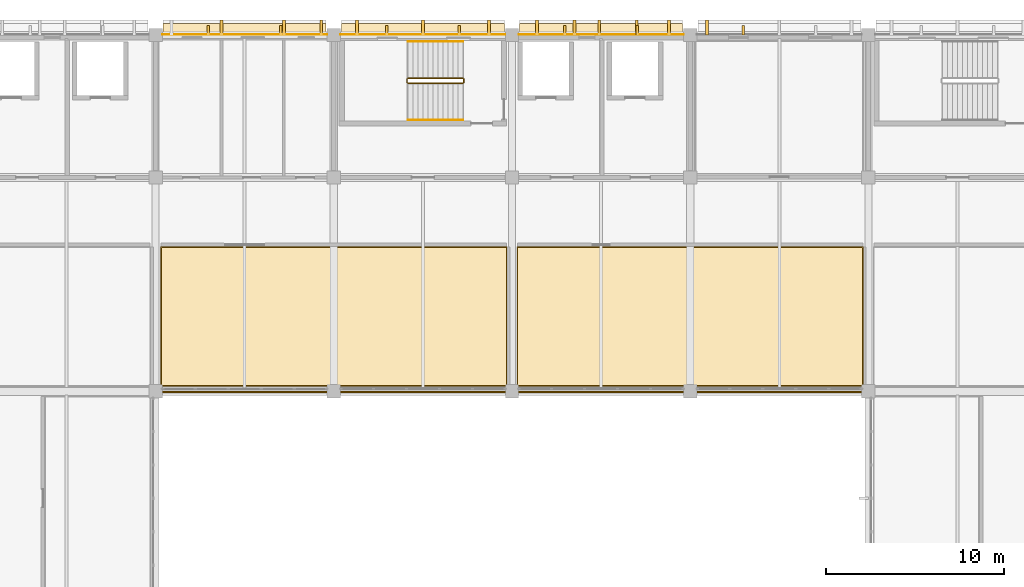
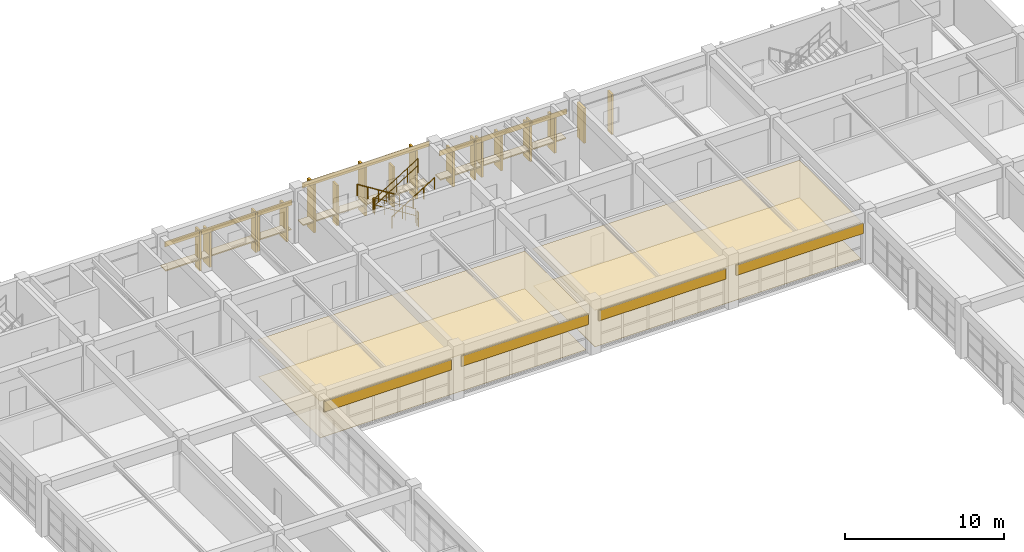
# One storey, part 82 of 83: 26 coverings, 7 shading devices, 6 railings.
"""IFC4 building model written with IfcOpenShell, lengths in metres."""

from ifc_helpers import new_model, si_unit, direction, frame, frame_2d, origin, origin_2d, place, context, subcontext, project, spatial, polyline, rectangle, circle, outline, extrude, material, layer, layer_set, type_object, element, save


model = new_model("IFC4")

# Units and contexts
model_context = context("Model", 3, precision=1e-05, world=origin(), true_north=direction((0.0, 1.0)))
body_context = subcontext(model_context, "Body", "Model", "MODEL_VIEW")
ifc_project = project(units=[si_unit("LENGTHUNIT", "METRE"), si_unit("AREAUNIT", "SQUARE_METRE"), si_unit("VOLUMEUNIT", "CUBIC_METRE"), si_unit("PLANEANGLEUNIT", "RADIAN"), si_unit("MASSUNIT", "GRAM", prefix="KILO")], contexts=[model_context])

# Site, building, storey
site_placement = place(None, origin())
site = spatial("IfcSite", under=ifc_project, at=site_placement, CompositionType="ELEMENT")
building_placement = place(site_placement, origin())
building = spatial("IfcBuilding", under=site, at=building_placement, Name="Kivolera Central Railway Station", CompositionType="ELEMENT")
storey_placement = place(building_placement, frame((0.0, 0.0, 14.39990234375)))
storey = spatial("IfcBuildingStorey", under=building, at=storey_placement, Name="L03", CompositionType="ELEMENT", Elevation=14.39990234375)

# Shading devices
ifc_material_1 = material(Name="Precast concrete C40/50", Category="concrete")
shading_device_type = type_object("IfcShadingDeviceType", Name="BS-FIN-UPP", PredefinedType="USERDEFINED", material=ifc_material_1)
for number, where, z_axis, x_axis, name in (
    (1, (140.962890625, 134.26708984375, 0.0), (0.0, 0.0, 1.0), (1.0, 0.0, 0.0), "L03 North Brise-Soleil Fin 3.1"),
    (2, (145.037109375, 134.26708984375, 0.0), (0.0, 0.0, 1.0), (1.0, 0.0, 0.0), "L03 North Brise-Soleil Fin 3.2"),
    (3, (150.962890625, 134.26708984375, 0.0), (0.0, 0.0, 1.0), (1.0, 0.0, 0.0), "L03 North Brise-Soleil Fin 4.1"),
    (4, (155.037109375, 134.26708984375, 0.0), (0.0, 0.0, 1.0), (1.0, 0.0, 0.0), "L03 North Brise-Soleil Fin 4.2"),
    (5, (160.962890625, 134.26708984375, 0.0), (0.0, 0.0, 1.0), (1.0, 0.0, 0.0), "L03 North Brise-Soleil Fin 5.1"),
    (6, (165.037109375, 134.26708984375, 0.0), (0.0, 0.0, 1.0), (1.0, 0.0, 0.0), "L03 North Brise-Soleil Fin 5.2"),
    (7, (170.962890625, 134.26708984375, 0.0), (0.0, 0.0, 1.0), (1.0, 0.0, 0.0), "L03 North Brise-Soleil Fin 6.1"),
):
    element("IfcShadingDevice", number, at=place(storey_placement, frame(where, z_axis=z_axis, x_axis=x_axis)), inside=storey, type_object=shading_device_type, Name=name, ObjectType="FIN", PredefinedType="USERDEFINED", context=body_context, shape_type="SweptSolid", body=[
        extrude(rectangle(XDim=0.139892578125, YDim=0.550048828125, at=origin_2d()), origin(), (0.0, 0.0, 1.0), 3.10009765625),
    ])

# Coverings
ifc_material_2 = material(Name="Mineral fibre acoustic tile")
ifc_layer_1 = layer(ifc_material_2, 0.02001953125, Name="Mineral fibre acoustic tile")
ifc_layer_set_1 = layer_set([ifc_layer_1], Name="Mineral fibre acoustic tile")
covering_type_1 = type_object("IfcCoveringType", Name="COV-CEIL-20", PredefinedType="CEILING", material=ifc_layer_set_1)
covering_1_placement = place(storey_placement, frame((0.0, 0.0, 2.85009765625)))
element("IfcCovering", 8, at=covering_1_placement, inside=storey, type_object=covering_type_1, Name="L03 Station Master Administration Office Acoustic Ceiling", PredefinedType="CEILING", context=body_context, shape_type="SweptSolid", body=[
    extrude(outline(polyline([(158.280029296875, 114.280029296875), (177.719970703125, 114.280029296875), (177.719970703125, 122.1201171875), (158.280029296875, 122.1201171875), (158.280029296875, 114.280029296875)])), origin(), (0.0, 0.0, 1.0), 0.02001953125),
])
ifc_layer_2 = layer(ifc_material_2, 0.030029296875, Name="Mineral fibre acoustic tile")
ifc_layer_set_2 = layer_set([ifc_layer_2], Name="Mineral fibre acoustic tile")
covering_type_2 = type_object("IfcCoveringType", Name="COV-CEIL-30", PredefinedType="CEILING", material=ifc_layer_set_2)
covering_2_placement = place(storey_placement, frame((0.0, 0.0, 2.85009765625)))
element("IfcCovering", 9, at=covering_2_placement, inside=storey, type_object=covering_type_2, Name="L03 Public Transport Exhibition Classroom Acoustic Ceiling", PredefinedType="CEILING", context=body_context, shape_type="SweptSolid", body=[
    extrude(outline(polyline([(138.280029296875, 114.280029296875), (157.719970703125, 114.280029296875), (157.719970703125, 122.1201171875), (138.280029296875, 122.1201171875), (138.280029296875, 114.280029296875)])), origin(), (0.0, 0.0, 1.0), 0.030029296875),
])
ifc_layer_3 = layer(ifc_material_1, 0.090087890625, Name="Precast concrete C40/50")
ifc_layer_set_3 = layer_set([ifc_layer_3], Name="Precast concrete C40/50")
covering_type_3 = type_object("IfcCoveringType", Name="COV-CLAUSTRA-90", PredefinedType="CLADDING", material=ifc_layer_set_3)
for number, where, z_axis, x_axis, name in (
    (10, (143.0, 134.31298828125, 0.85498046875), (0.0, 0.0, 1.0), (1.0, 0.0, 0.0), "L03 North Precast Egg-Crate Sill Shelf 3"),
    (11, (153.0, 134.31298828125, 0.85498046875), (0.0, 0.0, 1.0), (1.0, 0.0, 0.0), "L03 North Precast Egg-Crate Sill Shelf 4"),
    (12, (163.0, 134.31298828125, 0.85498046875), (0.0, 0.0, 1.0), (1.0, 0.0, 0.0), "L03 North Precast Egg-Crate Sill Shelf 5"),
):
    element("IfcCovering", number, at=place(storey_placement, frame(where, z_axis=z_axis, x_axis=x_axis)), inside=storey, type_object=covering_type_3, Name=name, PredefinedType="CLADDING", context=body_context, shape_type="SweptSolid", body=[
        extrude(rectangle(XDim=9.139892578125, YDim=0.64990234375, at=origin_2d()), origin(), (0.0, 0.0, 1.0), 0.090087890625),
    ])
for number, where, z_axis, x_axis, name in (
    (13, (147.6298828125, 113.9599609375, 2.22802734375), (0.0, 0.0, 1.0), (-1.0, 0.0, 0.0), "L03 Monsoon Court Precast Claustra Screen 138"),
    (14, (157.6298828125, 113.9599609375, 2.22802734375), (0.0, 0.0, 1.0), (-1.0, 0.0, 0.0), "L03 Monsoon Court Precast Claustra Screen 148"),
    (15, (167.6298828125, 113.9599609375, 2.22802734375), (0.0, 0.0, 1.0), (-1.0, 0.0, 0.0), "L03 Monsoon Court Precast Claustra Screen 158"),
    (16, (177.6298828125, 113.9599609375, 2.22802734375), (0.0, 0.0, 1.0), (-1.0, 0.0, 0.0), "L03 Monsoon Court Precast Claustra Screen 168"),
):
    element("IfcCovering", number, at=place(storey_placement, frame(where, z_axis=z_axis, x_axis=x_axis)), inside=storey, type_object=covering_type_3, Name=name, PredefinedType="CLADDING", context=body_context, shape_type="SweptSolid", body=[
        extrude(rectangle(XDim=9.259765625, YDim=0.090087890625, at=frame_2d((4.6298828125, 0.0))), origin(), (0.0, 0.0, 1.0), 0.800048828125),
    ])
ifc_material_3 = material(Name="Swahili coral limestone", Category="masonry")
ifc_layer_4 = layer(ifc_material_3, 0.159912109375, Name="Swahili coral limestone")
ifc_layer_set_4 = layer_set([ifc_layer_4], Name="Swahili coral limestone")
covering_type_4 = type_object("IfcCoveringType", Name="COV-EGGFIN-160", PredefinedType="CLADDING", material=ifc_layer_set_4)
for number, where, z_axis, x_axis, name in (
    (17, (141.699951171875, 134.4130859375, 0.0400390625), (0.0, 0.0, 1.0), (1.0, 0.0, 0.0), "L03 North Afro-Modernist Coral-Stone Sun-Fin 3.2"),
    (18, (145.199951171875, 134.4130859375, 0.0400390625), (0.0, 0.0, 1.0), (1.0, 0.0, 0.0), "L03 North Afro-Modernist Coral-Stone Sun-Fin 3.3"),
    (19, (147.300048828125, 134.4130859375, 0.0400390625), (0.0, 0.0, 1.0), (1.0, 0.0, 0.0), "L03 North Afro-Modernist Coral-Stone Sun-Fin 3.4"),
):
    element("IfcCovering", number, at=place(storey_placement, frame(where, z_axis=z_axis, x_axis=x_axis)), inside=storey, type_object=covering_type_4, Name=name, PredefinedType="CLADDING", context=body_context, shape_type="SweptSolid", body=[
        extrude(rectangle(XDim=0.159912109375, YDim=0.85009765625, at=origin_2d()), origin(), (0.0, 0.0, 1.0), 2.697998046875),
    ])
for number, where, z_axis, x_axis, name in (
    (20, (149.300048828125, 134.4130859375, 0.0400390625), (0.0, 0.0, 1.0), (1.0, 0.0, 0.0), "L03 North Afro-Modernist Coral-Stone Sun-Fin 4.1"),
    (21, (153.0, 134.4130859375, 0.0400390625), (0.0, 0.0, 1.0), (1.0, 0.0, 0.0), "L03 North Afro-Modernist Coral-Stone Sun-Fin 4.2"),
    (22, (156.699951171875, 134.4130859375, 0.0400390625), (0.0, 0.0, 1.0), (1.0, 0.0, 0.0), "L03 North Afro-Modernist Coral-Stone Sun-Fin 4.3"),
):
    element("IfcCovering", number, at=place(storey_placement, frame(where, z_axis=z_axis, x_axis=x_axis)), inside=storey, type_object=covering_type_4, Name=name, PredefinedType="CLADDING", context=body_context, shape_type="SweptSolid", body=[
        extrude(rectangle(XDim=0.159912109375, YDim=0.85009765625, at=origin_2d()), origin(), (0.0, 0.0, 1.0), 3.719970703125),
    ])
for number, where, z_axis, x_axis, name in (
    (23, (159.39990234375, 134.4130859375, 0.0400390625), (0.0, 0.0, 1.0), (1.0, 0.0, 0.0), "L03 North Afro-Modernist Coral-Stone Sun-Fin 5.1"),
    (24, (161.5, 134.4130859375, 0.0400390625), (0.0, 0.0, 1.0), (1.0, 0.0, 0.0), "L03 North Afro-Modernist Coral-Stone Sun-Fin 5.2"),
    (25, (162.89990234375, 134.4130859375, 0.0400390625), (0.0, 0.0, 1.0), (1.0, 0.0, 0.0), "L03 North Afro-Modernist Coral-Stone Sun-Fin 5.3"),
    (26, (165.0, 134.4130859375, 0.0400390625), (0.0, 0.0, 1.0), (1.0, 0.0, 0.0), "L03 North Afro-Modernist Coral-Stone Sun-Fin 5.4"),
    (27, (166.800048828125, 134.4130859375, 0.0400390625), (0.0, 0.0, 1.0), (1.0, 0.0, 0.0), "L03 North Afro-Modernist Coral-Stone Sun-Fin 5.5"),
    (28, (168.949951171875, 134.4130859375, 0.0400390625), (0.0, 0.0, 1.0), (1.0, 0.0, 0.0), "L03 North Afro-Modernist Coral-Stone Sun-Fin 6.1"),
):
    element("IfcCovering", number, at=place(storey_placement, frame(where, z_axis=z_axis, x_axis=x_axis)), inside=storey, type_object=covering_type_4, Name=name, PredefinedType="CLADDING", context=body_context, shape_type="SweptSolid", body=[
        extrude(rectangle(XDim=0.159912109375, YDim=0.85009765625, at=origin_2d()), origin(), (0.0, 0.0, 1.0), 2.697998046875),
    ])
ifc_material_4 = material(Name="Terracotta clay tile", Category="masonry")
ifc_layer_5 = layer(ifc_material_4, 0.02197265625, Name="Terracotta clay tile")
ifc_layer_set_5 = layer_set([ifc_layer_5], Name="Terracotta clay tile")
covering_type_5 = type_object("IfcCoveringType", Name="COV-FLR-22", PredefinedType="FLOORING", material=ifc_layer_set_5)
covering_3_placement = place(storey_placement, origin())
element("IfcCovering", 29, at=covering_3_placement, inside=storey, type_object=covering_type_5, Name="L03 Public Transport Exhibition Classroom Floor Finish", PredefinedType="FLOORING", context=body_context, shape_type="SweptSolid", body=[
    extrude(outline(polyline([(138.320068359375, 114.320068359375), (157.679931640625, 114.320068359375), (157.679931640625, 122.080078125), (138.320068359375, 122.080078125), (138.320068359375, 114.320068359375)])), origin(), (0.0, 0.0, 1.0), 0.022216796875),
])
covering_4_placement = place(storey_placement, origin())
element("IfcCovering", 30, at=covering_4_placement, inside=storey, type_object=covering_type_5, Name="L03 Station Master Administration Office Floor Finish", PredefinedType="FLOORING", context=body_context, shape_type="SweptSolid", body=[
    extrude(outline(polyline([(158.320068359375, 114.320068359375), (177.679931640625, 114.320068359375), (177.679931640625, 122.080078125), (158.320068359375, 122.080078125), (158.320068359375, 114.320068359375)])), origin(), (0.0, 0.0, 1.0), 0.022216796875),
])
ifc_layer_6 = layer(ifc_material_4, 0.044921875, Name="Terracotta clay tile")
ifc_layer_set_6 = layer_set([ifc_layer_6], Name="Terracotta clay tile")
covering_type_6 = type_object("IfcCoveringType", Name="COV-TERRACOTTA-45", PredefinedType="CLADDING", material=ifc_layer_set_6)
for number, where, z_axis, x_axis, name in (
    (31, (138.3701171875, 134.02001953125, 2.748046875), (0.0, 0.0, 1.0), (1.0, 0.0, 0.0), "L03 North Terracotta Spandrel 3"),
    (32, (148.3701171875, 134.02001953125, 3.77001953125), (0.0, 0.0, 1.0), (1.0, 0.0, 0.0), "L03 North Terracotta Spandrel 4"),
    (33, (158.3701171875, 134.02001953125, 2.748046875), (0.0, 0.0, 1.0), (1.0, 0.0, 0.0), "L03 North Terracotta Spandrel 5"),
):
    element("IfcCovering", number, at=place(storey_placement, frame(where, z_axis=z_axis, x_axis=x_axis)), inside=storey, type_object=covering_type_6, Name=name, PredefinedType="CLADDING", context=body_context, shape_type="SweptSolid", body=[
        extrude(rectangle(XDim=9.259765625, YDim=0.044921875, at=frame_2d((4.6298828125, 0.0))), origin(), (0.0, 0.0, 1.0), 0.400146484375),
    ])

# Railings
ifc_material_5 = material(Name="Anodised aluminium", Category="aluminium")
ifc_layer_7 = layer(ifc_material_5, 0.048095703125, Name="Anodised aluminium")
ifc_layer_set_7 = layer_set([ifc_layer_7], Name="Anodised aluminium")
railing_type_1 = type_object("IfcRailingType", Name="RL-STAIR-GUARD", PredefinedType="GUARDRAIL", material=ifc_layer_set_7)
railing_1_placement = place(storey_placement, frame((155.239990234375, 131.570068359375, 0.175048828125)))
element("IfcRailing", 34, at=railing_1_placement, inside=storey, type_object=railing_type_1, Name="L03 ST2 stair guard 1", PredefinedType="GUARDRAIL", context=body_context, shape_type="SweptSolid", body=[
    extrude(circle(Radius=0.02392578125, at=origin_2d()), frame((0.0, 0.0, 1.10595703125), z_axis=(-0.847998304005, 0.0, 0.529998940003), x_axis=(0.0, -1.0, 0.0)), (0.0, 0.0, 1.0), 3.632080078125),
    extrude(circle(Radius=0.02392578125, at=origin_2d()), frame((0.0, 0.0, 0.56494140625), z_axis=(-0.847998304005, 0.0, 0.529998940003), x_axis=(0.0, -1.0, 0.0)), (0.0, 0.0, 1.0), 3.632080078125),
    extrude(circle(Radius=0.02099609375, at=origin_2d()), origin(), (0.0, 0.0, 1.0), 1.081787109375),
    extrude(circle(Radius=0.02099609375, at=origin_2d()), frame((-0.77001953125, 0.0, 0.481201171875)), (0.0, 0.0, 1.0), 1.081787109375),
    extrude(circle(Radius=0.02099609375, at=origin_2d()), frame((-1.5400390625, 0.0, 0.96240234375)), (0.0, 0.0, 1.0), 1.081787109375),
    extrude(circle(Radius=0.02099609375, at=origin_2d()), frame((-2.31005859375, 0.0, 1.44384765625)), (0.0, 0.0, 1.0), 1.081787109375),
    extrude(circle(Radius=0.02099609375, at=origin_2d()), frame((-3.080078125, 0.0, 1.925048828125)), (0.0, 0.0, 1.0), 1.081787109375),
])
railing_2_placement = place(storey_placement, frame((152.110107421875, 131.52001953125, 2.10009765625)))
element("IfcRailing", 35, at=railing_2_placement, inside=storey, type_object=railing_type_1, Name="L03 ST2 stair guard 2", PredefinedType="GUARDRAIL", context=body_context, shape_type="SweptSolid", body=[
    extrude(circle(Radius=0.02392578125, at=origin_2d()), frame((0.0, 0.0, 1.10595703125), z_axis=(0.0, -1.0, 0.0), x_axis=(1.0, 0.0, 0.0)), (0.0, 0.0, 1.0), 0.179931640625),
    extrude(circle(Radius=0.02392578125, at=origin_2d()), frame((0.0, 0.0, 0.56494140625), z_axis=(0.0, -1.0, 0.0), x_axis=(1.0, 0.0, 0.0)), (0.0, 0.0, 1.0), 0.179931640625),
    extrude(circle(Radius=0.02099609375, at=origin_2d()), origin(), (0.0, 0.0, 1.0), 1.081787109375),
    extrude(circle(Radius=0.02099609375, at=origin_2d()), frame((0.0, -0.179931640625, 0.0)), (0.0, 0.0, 1.0), 1.081787109375),
])
railing_3_placement = place(storey_placement, frame((152.159912109375, 131.2900390625, 2.275146484375)))
element("IfcRailing", 36, at=railing_3_placement, inside=storey, type_object=railing_type_1, Name="L03 ST2 stair guard 3", PredefinedType="GUARDRAIL", context=body_context, shape_type="SweptSolid", body=[
    extrude(circle(Radius=0.02392578125, at=origin_2d()), frame((0.0, 0.0, 1.10595703125), z_axis=(0.847998304005, 0.0, 0.529998940003), x_axis=(0.0, 1.0, 0.0)), (0.0, 0.0, 1.0), 3.632080078125),
    extrude(circle(Radius=0.02392578125, at=origin_2d()), frame((0.0, 0.0, 0.56494140625), z_axis=(0.847998304005, 0.0, 0.529998940003), x_axis=(0.0, 1.0, 0.0)), (0.0, 0.0, 1.0), 3.632080078125),
    extrude(circle(Radius=0.02099609375, at=origin_2d()), origin(), (0.0, 0.0, 1.0), 1.081787109375),
    extrude(circle(Radius=0.02099609375, at=origin_2d()), frame((0.77001953125, 0.0, 0.481201171875)), (0.0, 0.0, 1.0), 1.081787109375),
    extrude(circle(Radius=0.02099609375, at=origin_2d()), frame((1.5400390625, 0.0, 0.96240234375)), (0.0, 0.0, 1.0), 1.081787109375),
    extrude(circle(Radius=0.02099609375, at=origin_2d()), frame((2.31005859375, 0.0, 1.44384765625)), (0.0, 0.0, 1.0), 1.081787109375),
    extrude(circle(Radius=0.02099609375, at=origin_2d()), frame((3.080078125, 0.0, 1.925048828125)), (0.0, 0.0, 1.0), 1.081787109375),
])
railing_4_placement = place(storey_placement, frame((155.2900390625, 131.52001953125, 0.0)))
element("IfcRailing", 37, at=railing_4_placement, inside=storey, type_object=railing_type_1, Name="L03 ST2 stair guard 4", PredefinedType="GUARDRAIL", context=body_context, shape_type="SweptSolid", body=[
    extrude(circle(Radius=0.02392578125, at=origin_2d()), frame((0.0, 0.0, 1.10595703125), z_axis=(0.0, -1.0, 0.0), x_axis=(1.0, 0.0, 0.0)), (0.0, 0.0, 1.0), 0.179931640625),
    extrude(circle(Radius=0.02392578125, at=origin_2d()), frame((0.0, 0.0, 0.56494140625), z_axis=(0.0, -1.0, 0.0), x_axis=(1.0, 0.0, 0.0)), (0.0, 0.0, 1.0), 0.179931640625),
    extrude(circle(Radius=0.02099609375, at=origin_2d()), origin(), (0.0, 0.0, 1.0), 1.081787109375),
    extrude(circle(Radius=0.02099609375, at=origin_2d()), frame((0.0, -0.179931640625, 0.0)), (0.0, 0.0, 1.0), 1.081787109375),
])
ifc_layer_8 = layer(ifc_material_5, 0.048095703125, Name="Anodised aluminium")
ifc_layer_set_8 = layer_set([ifc_layer_8], Name="Anodised aluminium")
railing_type_2 = type_object("IfcRailingType", Name="RL-STAIR-HAND", PredefinedType="HANDRAIL", material=ifc_layer_set_8)
railing_5_placement = place(storey_placement, frame((155.239990234375, 133.6298828125, 0.175048828125)))
element("IfcRailing", 38, at=railing_5_placement, inside=storey, type_object=railing_type_2, Name="L03 ST2 stair handrail 1", PredefinedType="HANDRAIL", context=body_context, shape_type="SweptSolid", body=[
    extrude(circle(Radius=0.02392578125, at=origin_2d()), frame((0.0, 0.0, 0.8759765625), z_axis=(-0.847998304005, 0.0, 0.529998940003), x_axis=(0.0, -1.0, 0.0)), (0.0, 0.0, 1.0), 3.632080078125),
    extrude(circle(Radius=0.02099609375, at=origin_2d()), origin(), (0.0, 0.0, 1.0), 0.851806640625),
    extrude(circle(Radius=0.02099609375, at=origin_2d()), frame((-0.77001953125, 0.0, 0.481201171875)), (0.0, 0.0, 1.0), 0.851806640625),
    extrude(circle(Radius=0.02099609375, at=origin_2d()), frame((-1.5400390625, 0.0, 0.96240234375)), (0.0, 0.0, 1.0), 0.851806640625),
    extrude(circle(Radius=0.02099609375, at=origin_2d()), frame((-2.31005859375, 0.0, 1.44384765625)), (0.0, 0.0, 1.0), 0.851806640625),
    extrude(circle(Radius=0.02099609375, at=origin_2d()), frame((-3.080078125, 0.0, 1.925048828125)), (0.0, 0.0, 1.0), 0.851806640625),
])
railing_6_placement = place(storey_placement, frame((152.159912109375, 129.22998046875, 2.275146484375)))
element("IfcRailing", 39, at=railing_6_placement, inside=storey, type_object=railing_type_2, Name="L03 ST2 stair handrail 2", PredefinedType="HANDRAIL", context=body_context, shape_type="SweptSolid", body=[
    extrude(circle(Radius=0.02392578125, at=origin_2d()), frame((0.0, 0.0, 0.8759765625), z_axis=(0.847998304005, 0.0, 0.529998940003), x_axis=(0.0, 1.0, 0.0)), (0.0, 0.0, 1.0), 3.632080078125),
    extrude(circle(Radius=0.02099609375, at=origin_2d()), origin(), (0.0, 0.0, 1.0), 0.851806640625),
    extrude(circle(Radius=0.02099609375, at=origin_2d()), frame((0.77001953125, 0.0, 0.481201171875)), (0.0, 0.0, 1.0), 0.851806640625),
    extrude(circle(Radius=0.02099609375, at=origin_2d()), frame((1.5400390625, 0.0, 0.96240234375)), (0.0, 0.0, 1.0), 0.851806640625),
    extrude(circle(Radius=0.02099609375, at=origin_2d()), frame((2.31005859375, 0.0, 1.44384765625)), (0.0, 0.0, 1.0), 0.851806640625),
    extrude(circle(Radius=0.02099609375, at=origin_2d()), frame((3.080078125, 0.0, 1.925048828125)), (0.0, 0.0, 1.0), 0.851806640625),
])

save(model, "model.ifc")
